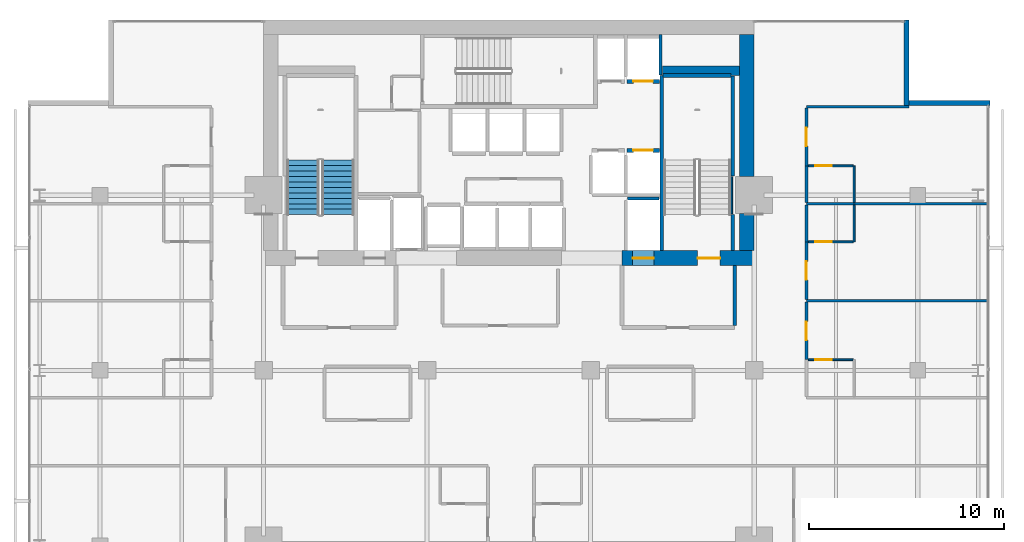
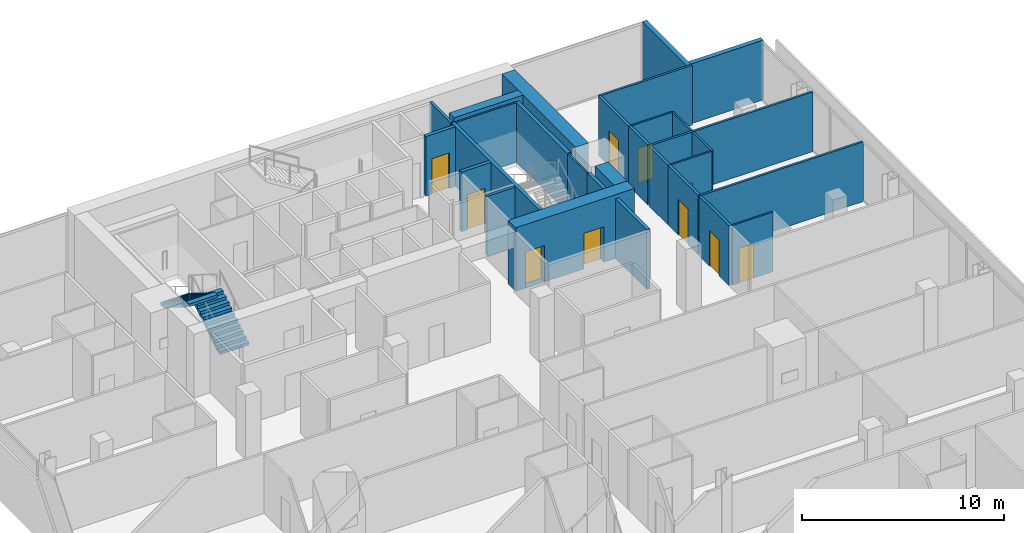
# One storey, part 31 of 34: 29 walls, 10 doors, 2 stair flights, 10 openings, 1 element without a shape of its own.
"""IFC4 building model written with IfcOpenShell, lengths in metres."""

from ifc_helpers import new_model, si_unit, direction, frame, frame_2d, origin, place, context, subcontext, project, spatial, polyline, rectangle, outline, extrude, material, layer, layer_set, type_object, element, fill, aggregate, save


model = new_model("IFC4")

# Units and contexts
model_context = context("Model", 3, precision=1e-05, world=origin(), true_north=direction((0.0, 1.0)))
body_context = subcontext(model_context, "Body", "Model", "MODEL_VIEW")
ifc_project = project(units=[si_unit("LENGTHUNIT", "METRE"), si_unit("AREAUNIT", "SQUARE_METRE"), si_unit("VOLUMEUNIT", "CUBIC_METRE"), si_unit("PLANEANGLEUNIT", "RADIAN"), si_unit("MASSUNIT", "GRAM", prefix="KILO")], contexts=[model_context])

# Site, building, storey
site_placement = place(None, origin())
site = spatial("IfcSite", under=ifc_project, at=site_placement, CompositionType="ELEMENT")
building_placement = place(site_placement, origin())
building = spatial("IfcBuilding", under=site, at=building_placement, Name="Maruvema Waterfront Hotel and Observation Tower", CompositionType="ELEMENT")
storey_placement = place(building_placement, frame((0.0, 0.0, 208.25)))
storey = spatial("IfcBuildingStorey", under=building, at=storey_placement, Name="L51", CompositionType="ELEMENT", Elevation=208.25)

# Wall, opening, door
ifc_material_1 = material(Name="Twin-stud acoustic gypsum drywall", Category="gypsum")
ifc_layer_1 = layer(ifc_material_1, 0.14990234375, Name="Acoustic Corridor and Suite Demising Wall 150 mm")
ifc_layer_set_1 = layer_set([ifc_layer_1], Name="Twin-stud acoustic gypsum drywall")
wall_type_1 = type_object("IfcWallType", Name="Acoustic Corridor and Suite Demising Wall 150 mm", PredefinedType="PARTITIONING", material=ifc_layer_set_1)
wall_1_placement = place(storey_placement, frame((53.080078125, 36.550048828125, 0.0), z_axis=(0.0, 0.0, 1.0), x_axis=(0.0, 1.0, 0.0)))
wall_1 = element("IfcWall", 1, at=wall_1_placement, inside=storey, type_object=wall_type_1, Name="L51 Room L51-NE1 Corridor Wall 105", PredefinedType="PARTITIONING", context=body_context, shape_type="SweptSolid", body=[
    extrude(rectangle(XDim=2.96923828125, YDim=0.14990234375, at=frame_2d((1.484619140625, 0.0))), origin(), (0.0, 0.0, 1.0), 3.610107421875),
])
opening_1_placement = place(wall_1_placement, frame((1.009521484375, 0.0, 0.0)))
opening_1 = element("IfcOpeningElement", 2, at=opening_1_placement, cuts=wall_1, Name="Opening DR-095", PredefinedType="OPENING", context=body_context, shape_type="SweptSolid", body=[
    extrude(rectangle(XDim=0.949951171875, YDim=2.14990234375, at=frame_2d((0.47509765625, 1.074951171875))), frame((0.0, 0.0849609375, 0.0), z_axis=(0.0, -1.0, 0.0), x_axis=(1.0, 0.0, 0.0)), (0.0, 0.0, 1.0), 0.169921875),
])
ifc_material_2 = material(Name="Acoustic solid-core hardwood timber leaf", Category="wood")
door_type_1 = type_object("IfcDoorType", Name="Guestroom Entrance Fire Door 950x2150 mm", OperationType="NOTDEFINED", PredefinedType="DOOR", material=ifc_material_2)
door_1_placement = place(opening_1_placement, frame((0.949951171875, 0.0, 0.0), z_axis=(0.0, 0.0, 1.0), x_axis=(-1.0, 0.0, 0.0)))
door_1 = element("IfcDoor", 3, at=door_1_placement, inside=storey, type_object=door_type_1, Name="L51 Room L51-NE1 Entrance Door", OperationType="SINGLE_SWING_RIGHT", OverallHeight=2.14990234375, OverallWidth=0.949951171875, PredefinedType="DOOR", context=body_context, shape_type="SweptSolid", body=[
    extrude(rectangle(XDim=0.949951171875, YDim=2.14990234375, at=frame_2d((0.47509765625, 1.074951171875))), frame((0.0, 0.02490234375, 0.0), z_axis=(0.0, -1.0, 0.0), x_axis=(1.0, 0.0, 0.0)), (0.0, 0.0, 1.0), 0.050048828125),
])
fill(opening_1, door_1)

wall_2_placement = place(storey_placement, frame((53.080078125, 39.63916015625, 0.0), z_axis=(0.0, 0.0, 1.0), x_axis=(0.0, 1.0, 0.0)))
wall_2 = element("IfcWall", 4, at=wall_2_placement, inside=storey, type_object=wall_type_1, Name="L51 Room L51-NE2 Corridor Wall 114", PredefinedType="PARTITIONING", context=body_context, shape_type="SweptSolid", body=[
    extrude(rectangle(XDim=2.96923828125, YDim=0.14990234375, at=frame_2d((1.484619140625, 0.0))), origin(), (0.0, 0.0, 1.0), 3.610107421875),
])
opening_2_placement = place(wall_2_placement, frame((1.009521484375, 0.0, 0.0)))
opening_2 = element("IfcOpeningElement", 5, at=opening_2_placement, cuts=wall_2, Name="Opening DR-095", PredefinedType="OPENING", context=body_context, shape_type="SweptSolid", body=[
    extrude(rectangle(XDim=0.949951171875, YDim=2.14990234375, at=frame_2d((0.47509765625, 1.074951171875))), frame((0.0, 0.0849609375, 0.0), z_axis=(0.0, -1.0, 0.0), x_axis=(1.0, 0.0, 0.0)), (0.0, 0.0, 1.0), 0.169921875),
])
door_2_placement = place(opening_2_placement, frame((0.949951171875, 0.0, 0.0), z_axis=(0.0, 0.0, 1.0), x_axis=(-1.0, 0.0, 0.0)))
door_2 = element("IfcDoor", 6, at=door_2_placement, inside=storey, type_object=door_type_1, Name="L51 Room L51-NE2 Entrance Door", OperationType="SINGLE_SWING_RIGHT", OverallHeight=2.14990234375, OverallWidth=0.949951171875, PredefinedType="DOOR", context=body_context, shape_type="SweptSolid", body=[
    extrude(rectangle(XDim=0.949951171875, YDim=2.14990234375, at=frame_2d((0.47509765625, 1.074951171875))), frame((0.0, 0.02490234375, 0.0), z_axis=(0.0, -1.0, 0.0), x_axis=(1.0, 0.0, 0.0)), (0.0, 0.0, 1.0), 0.050048828125),
])
fill(opening_2, door_2)

# Walls
for number, where, z_axis, x_axis, name in (
    (7, (53.080078125, 42.6083984375, 0.0), (0.0, 0.0, 1.0), (0.0, 1.0, 0.0), "L51 Bath L51-NE2 Wall 115"),
    (8, (53.080078125, 44.618408203125, 0.0), (0.0, 0.0, 1.0), (0.0, 1.0, 0.0), "L51 Bath L51-NE3 Wall 124"),
):
    element("IfcWall", number, at=place(storey_placement, frame(where, z_axis=z_axis, x_axis=x_axis)), inside=storey, type_object=wall_type_1, Name=name, PredefinedType="PARTITIONING", context=body_context, shape_type="SweptSolid", body=[
        extrude(rectangle(XDim=1.889892578125, YDim=0.14990234375, at=frame_2d((0.94482421875, 0.0))), origin(), (0.0, 0.0, 1.0), 3.610107421875),
    ])

# Wall, opening, door
wall_3_placement = place(storey_placement, frame((53.080078125, 46.50830078125, 0.0), z_axis=(0.0, 0.0, 1.0), x_axis=(0.0, 1.0, 0.0)))
wall_3 = element("IfcWall", 9, at=wall_3_placement, inside=storey, type_object=wall_type_1, Name="L51 Room L51-NE3 Corridor Wall 125", PredefinedType="PARTITIONING", context=body_context, shape_type="SweptSolid", body=[
    extrude(rectangle(XDim=2.96923828125, YDim=0.14990234375, at=frame_2d((1.484619140625, 0.0))), origin(), (0.0, 0.0, 1.0), 3.610107421875),
])
opening_3_placement = place(wall_3_placement, frame((1.009521484375, 0.0, 0.0)))
opening_3 = element("IfcOpeningElement", 10, at=opening_3_placement, cuts=wall_3, Name="Opening DR-095", PredefinedType="OPENING", context=body_context, shape_type="SweptSolid", body=[
    extrude(rectangle(XDim=0.949951171875, YDim=2.14990234375, at=frame_2d((0.47509765625, 1.074951171875))), frame((0.0, 0.0849609375, 0.0), z_axis=(0.0, -1.0, 0.0), x_axis=(1.0, 0.0, 0.0)), (0.0, 0.0, 1.0), 0.169921875),
])
door_3_placement = place(opening_3_placement, frame((0.949951171875, 0.0, 0.0), z_axis=(0.0, 0.0, 1.0), x_axis=(-1.0, 0.0, 0.0)))
door_3 = element("IfcDoor", 11, at=door_3_placement, inside=storey, type_object=door_type_1, Name="L51 Room L51-NE3 Entrance Door", OperationType="SINGLE_SWING_RIGHT", OverallHeight=2.14990234375, OverallWidth=0.949951171875, PredefinedType="DOOR", context=body_context, shape_type="SweptSolid", body=[
    extrude(rectangle(XDim=0.949951171875, YDim=2.14990234375, at=frame_2d((0.47509765625, 1.074951171875))), frame((0.0, 0.02490234375, 0.0), z_axis=(0.0, -1.0, 0.0), x_axis=(1.0, 0.0, 0.0)), (0.0, 0.0, 1.0), 0.050048828125),
])
fill(opening_3, door_3)

# Walls
ifc_material_3 = material(Name="Precast concrete C45/55", Category="concrete")
ifc_layer_2 = layer(ifc_material_3, 0.199951171875, Name="Core Shaft and Stairwell Enclosure Wall 200 mm")
ifc_layer_set_2 = layer_set([ifc_layer_2], Name="Precast concrete C45/55")
wall_type_2 = type_object("IfcWallType", Name="Core Shaft and Stairwell Enclosure Wall 200 mm", PredefinedType="SOLIDWALL", material=ifc_layer_set_2)
wall_4_placement = place(storey_placement, frame((45.64990234375, 42.14990234375, 0.0), z_axis=(0.0, 0.0, 1.0), x_axis=(0.0, 1.0, 0.0)))
element("IfcWall", 12, at=wall_4_placement, inside=storey, type_object=wall_type_2, Name="L51 Stairwell ST-03 West Shaft Wall", PredefinedType="SOLIDWALL", context=body_context, shape_type="SweptSolid", body=[
    extrude(rectangle(XDim=9.0, YDim=0.199951171875, at=frame_2d((4.5, 0.0))), origin(), (0.0, 0.0, 1.0), 3.610107421875),
])
wall_5_placement = place(storey_placement, frame((49.300048828125, 42.14990234375, 0.0), z_axis=(0.0, 0.0, 1.0), x_axis=(0.0, 1.0, 0.0)))
element("IfcWall", 13, at=wall_5_placement, inside=storey, type_object=wall_type_2, Name="L51 Stairwell ST-03 Shaft Lining Wall", PredefinedType="SOLIDWALL", context=body_context, shape_type="SweptSolid", body=[
    extrude(rectangle(XDim=1.8701171875, YDim=0.199951171875, at=frame_2d((0.93505859375, 0.0))), origin(), (0.0, 0.0, 1.0), 3.610107421875),
])
wall_6_placement = place(storey_placement, frame((49.300048828125, 45.97998046875, 0.0), z_axis=(0.0, 0.0, 1.0), x_axis=(0.0, 1.0, 0.0)))
element("IfcWall", 14, at=wall_6_placement, inside=storey, type_object=wall_type_2, Name="L51 Stairwell ST-03 Shaft Lining Wall", PredefinedType="SOLIDWALL", context=body_context, shape_type="SweptSolid", body=[
    extrude(rectangle(XDim=5.14013671875, YDim=0.199951171875, at=frame_2d((2.570068359375, 0.0))), origin(), (0.0, 0.0, 1.0), 3.610107421875),
])
wall_7_placement = place(storey_placement, frame((45.719970703125, 51.14990234375, 0.0), z_axis=(0.0, 0.0, 1.0), x_axis=(1.0, 0.0, 0.0)))
element("IfcWall", 15, at=wall_7_placement, inside=storey, type_object=wall_type_2, Name="L51 Stairwell ST-03 Shaft Lining Wall", PredefinedType="SOLIDWALL", context=body_context, shape_type="SweptSolid", body=[
    extrude(rectangle(XDim=3.5, YDim=0.199951171875, at=frame_2d((1.75, 0.0))), origin(), (0.0, 0.0, 1.0), 3.610107421875),
])

# Wall, opening, door
wall_8_placement = place(storey_placement, frame((43.860107421875, 47.300048828125, 0.0), z_axis=(0.0, 0.0, 1.0), x_axis=(1.0, 0.0, 0.0)))
wall_8 = element("IfcWall", 16, at=wall_8_placement, inside=storey, type_object=wall_type_2, Name="L51 Lift LF-06 Hoistway Front Wall", PredefinedType="SOLIDWALL", context=body_context, shape_type="SweptSolid", body=[
    extrude(rectangle(XDim=1.679931640625, YDim=0.199951171875, at=frame_2d((0.83984375, 0.0))), origin(), (0.0, 0.0, 1.0), 3.610107421875),
])
opening_4_placement = place(wall_8_placement, frame((0.340087890625, 0.0, 0.0)))
opening_4 = element("IfcOpeningElement", 17, at=opening_4_placement, cuts=wall_8, Name="Opening LD-01", PredefinedType="OPENING", context=body_context, shape_type="SweptSolid", body=[
    extrude(rectangle(XDim=1.0, YDim=2.14990234375, at=frame_2d((0.5, 1.074951171875))), frame((0.0, 0.10986328125, 0.0), z_axis=(0.0, -1.0, 0.0), x_axis=(1.0, 0.0, 0.0)), (0.0, 0.0, 1.0), 0.219970703125),
])
ifc_material_4 = material(Name="Brushed stainless steel Grade 316", Category="steel")
door_type_2 = type_object("IfcDoorType", Name="Passenger Lift Sliding Landing Door 1000x2150 mm", OperationType="SLIDING_TO_LEFT", PredefinedType="DOOR", material=ifc_material_4)
door_4_placement = place(opening_4_placement, origin())
door_4 = element("IfcDoor", 18, at=door_4_placement, inside=storey, type_object=door_type_2, Name="L51 Lift LF-06 Sliding Landing Door", OperationType="SLIDING_TO_LEFT", OverallHeight=2.14990234375, OverallWidth=1.0, PredefinedType="DOOR", context=body_context, shape_type="SweptSolid", body=[
    extrude(rectangle(XDim=1.0, YDim=2.14990234375, at=frame_2d((0.5, 1.074951171875))), frame((0.0, 0.02490234375, 0.0), z_axis=(0.0, -1.0, 0.0), x_axis=(1.0, 0.0, 0.0)), (0.0, 0.0, 1.0), 0.050048828125),
])
fill(opening_4, door_4)

wall_9_placement = place(storey_placement, frame((43.860107421875, 50.85009765625, 0.0), z_axis=(0.0, 0.0, 1.0), x_axis=(1.0, 0.0, 0.0)))
wall_9 = element("IfcWall", 19, at=wall_9_placement, inside=storey, type_object=wall_type_2, Name="L51 Lift LF-08 Hoistway Front Wall", PredefinedType="SOLIDWALL", context=body_context, shape_type="SweptSolid", body=[
    extrude(rectangle(XDim=1.679931640625, YDim=0.199951171875, at=frame_2d((0.83984375, 0.0))), origin(), (0.0, 0.0, 1.0), 3.610107421875),
])
opening_5_placement = place(wall_9_placement, frame((0.340087890625, 0.0, 0.0)))
opening_5 = element("IfcOpeningElement", 20, at=opening_5_placement, cuts=wall_9, Name="Opening LD-01", PredefinedType="OPENING", context=body_context, shape_type="SweptSolid", body=[
    extrude(rectangle(XDim=1.0, YDim=2.14990234375, at=frame_2d((0.5, 1.074951171875))), frame((0.0, 0.10986328125, 0.0), z_axis=(0.0, -1.0, 0.0), x_axis=(1.0, 0.0, 0.0)), (0.0, 0.0, 1.0), 0.219970703125),
])
door_5_placement = place(opening_5_placement, frame((1.0, 0.0, 0.0), z_axis=(0.0, 0.0, 1.0), x_axis=(-1.0, 0.0, 0.0)))
door_5 = element("IfcDoor", 21, at=door_5_placement, inside=storey, type_object=door_type_2, Name="L51 Lift LF-08 Sliding Landing Door", OperationType="SLIDING_TO_LEFT", OverallHeight=2.14990234375, OverallWidth=1.0, PredefinedType="DOOR", context=body_context, shape_type="SweptSolid", body=[
    extrude(rectangle(XDim=1.0, YDim=2.14990234375, at=frame_2d((0.5, 1.074951171875))), frame((0.0, 0.02490234375, 0.0), z_axis=(0.0, -1.0, 0.0), x_axis=(1.0, 0.0, 0.0)), (0.0, 0.0, 1.0), 0.050048828125),
])
fill(opening_5, door_5)

# Wall
ifc_material_5 = material(Name="Concrete C70/85", Category="concrete")
ifc_layer_3 = layer(ifc_material_5, 0.5, Name="Core Shear Wall 500 mm")
ifc_layer_set_3 = layer_set([ifc_layer_3], Name="Concrete C70/85")
wall_type_3 = type_object("IfcWallType", Name="Core Shear Wall 500 mm", PredefinedType="SHEAR", material=ifc_layer_set_3)
wall_10_placement = place(storey_placement, frame((45.699951171875, 51.39990234375, 0.0), z_axis=(0.0, 0.0, 1.0), x_axis=(1.0, 0.0, 0.0)))
element("IfcWall", 22, at=wall_10_placement, inside=storey, type_object=wall_type_3, Name="L51 Internal Core Shear Wall NE 500 mm", PredefinedType="SHEAR", context=body_context, shape_type="SweptSolid", body=[
    extrude(rectangle(XDim=3.949951171875, YDim=0.5, at=frame_2d((1.97509765625, 0.0))), origin(), (0.0, 0.0, 1.0), 3.85009765625),
])

# Wall, openings, doors
ifc_material_6 = material(Name="Concrete C70/85", Category="concrete")
ifc_layer_4 = layer(ifc_material_6, 0.75, Name="Core Shear Wall 750 mm")
ifc_layer_set_4 = layer_set([ifc_layer_4], Name="Concrete C70/85")
wall_type_4 = type_object("IfcWallType", Name="Core Shear Wall 750 mm", PredefinedType="SHEAR", material=ifc_layer_set_4)
wall_11_placement = place(storey_placement, frame((43.60009765625, 41.77490234375, 0.0), z_axis=(0.0, 0.0, 1.0), x_axis=(1.0, 0.0, 0.0)))
wall_11 = element("IfcWall", 23, at=wall_11_placement, inside=storey, type_object=wall_type_4, Name="L51 South-East Core Shear Wall", PredefinedType="SHEAR", context=body_context, shape_type="SweptSolid", body=[
    extrude(rectangle(XDim=6.7998046875, YDim=0.75, at=frame_2d((3.39990234375, 0.0))), origin(), (0.0, 0.0, 1.0), 3.85009765625),
])
opening_6_placement = place(wall_11_placement, frame((3.89990234375, 0.0, 0.0)))
opening_6 = element("IfcOpeningElement", 24, at=opening_6_placement, cuts=wall_11, Name="Opening SD-01", PredefinedType="OPENING", context=body_context, shape_type="SweptSolid", body=[
    extrude(rectangle(XDim=1.14990234375, YDim=2.14990234375, at=frame_2d((0.574951171875, 1.074951171875))), frame((0.0, 0.385009765625, 0.0), z_axis=(0.0, -1.0, 0.0), x_axis=(1.0, 0.0, 0.0)), (0.0, 0.0, 1.0), 0.77001953125),
])
opening_7_placement = place(wall_11_placement, frame((0.550048828125, 0.0, 0.0)))
opening_7 = element("IfcOpeningElement", 25, at=opening_7_placement, cuts=wall_11, Name="Opening LD-03", PredefinedType="OPENING", context=body_context, shape_type="SweptSolid", body=[
    extrude(rectangle(XDim=1.10009765625, YDim=2.199951171875, at=frame_2d((0.550048828125, 1.10009765625))), frame((0.0, 0.385009765625, 0.0), z_axis=(0.0, -1.0, 0.0), x_axis=(1.0, 0.0, 0.0)), (0.0, 0.0, 1.0), 0.77001953125),
])
ifc_material_7 = material(Name="Fire-rated galvanised steel leaf", Category="steel")
door_type_3 = type_object("IfcDoorType", Name="Exit Stair Fire Door 1150x2150 mm", OperationType="NOTDEFINED", PredefinedType="DOOR", material=ifc_material_7)
door_6_placement = place(opening_6_placement, origin())
door_6 = element("IfcDoor", 26, at=door_6_placement, inside=storey, type_object=door_type_3, Name="L51 Exit Stair ST-03 Fire Door", OperationType="SINGLE_SWING_RIGHT", OverallHeight=2.14990234375, OverallWidth=1.14990234375, PredefinedType="DOOR", context=body_context, shape_type="SweptSolid", body=[
    extrude(rectangle(XDim=1.14990234375, YDim=2.14990234375, at=frame_2d((0.574951171875, 1.074951171875))), frame((0.0, 0.02490234375, 0.0), z_axis=(0.0, -1.0, 0.0), x_axis=(1.0, 0.0, 0.0)), (0.0, 0.0, 1.0), 0.050048828125),
])
fill(opening_6, door_6)
ifc_material_8 = material(Name="Brushed stainless steel Grade 316", Category="steel")
door_type_4 = type_object("IfcDoorType", Name="Firefighting Lift Sliding Landing Door 1100x2200 mm", OperationType="SLIDING_TO_LEFT", PredefinedType="DOOR", material=ifc_material_8)
door_7_placement = place(opening_7_placement, frame((1.10009765625, 0.0, 0.0), z_axis=(0.0, 0.0, 1.0), x_axis=(-1.0, 0.0, 0.0)))
door_7 = element("IfcDoor", 27, at=door_7_placement, inside=storey, type_object=door_type_4, Name="L51 Firefighting Lift FL-02 Landing Door", OperationType="SLIDING_TO_LEFT", OverallHeight=2.199951171875, OverallWidth=1.10009765625, PredefinedType="DOOR", context=body_context, shape_type="SweptSolid", body=[
    extrude(rectangle(XDim=1.10009765625, YDim=2.199951171875, at=frame_2d((0.550048828125, 1.10009765625))), frame((0.0, 0.02490234375, 0.0), z_axis=(0.0, -1.0, 0.0), x_axis=(1.0, 0.0, 0.0)), (0.0, 0.0, 1.0), 0.050048828125),
])
fill(opening_7, door_7)

# Walls
wall_12_placement = place(storey_placement, frame((50.02490234375, 42.14990234375, 0.0), z_axis=(0.0, 0.0, 1.0), x_axis=(0.0, 1.0, 0.0)))
element("IfcWall", 28, at=wall_12_placement, inside=storey, type_object=wall_type_4, Name="L51 East-South Core Shear Wall", PredefinedType="SHEAR", context=body_context, shape_type="SweptSolid", body=[
    extrude(rectangle(XDim=1.900146484375, YDim=0.75, at=frame_2d((0.9501953125, 0.0))), origin(), (0.0, 0.0, 1.0), 3.85009765625),
])
wall_13_placement = place(storey_placement, frame((50.02490234375, 45.949951171875, 0.0), z_axis=(0.0, 0.0, 1.0), x_axis=(0.0, 1.0, 0.0)))
element("IfcWall", 29, at=wall_13_placement, inside=storey, type_object=wall_type_4, Name="L51 East-North Core Shear Wall", PredefinedType="SHEAR", context=body_context, shape_type="SweptSolid", body=[
    extrude(rectangle(XDim=7.300048828125, YDim=0.75, at=frame_2d((3.64990234375, 0.0))), origin(), (0.0, 0.0, 1.0), 3.85009765625),
])

# Wall, opening, door
ifc_material_9 = material(Name="Moisture-resistant cement-board drywall", Category="gypsum")
ifc_layer_5 = layer(ifc_material_9, 0.10009765625, Name="En-Suite Moisture-Resistant Partition 100 mm")
ifc_layer_set_5 = layer_set([ifc_layer_5], Name="Moisture-resistant cement-board drywall")
wall_type_5 = type_object("IfcWallType", Name="En-Suite Moisture-Resistant Partition 100 mm", PredefinedType="PARTITIONING", material=ifc_layer_set_5)
wall_14_placement = place(storey_placement, frame((53.179931640625, 36.550048828125, 0.0), z_axis=(0.0, 0.0, 1.0), x_axis=(1.0, 0.0, 0.0)))
wall_14 = element("IfcWall", 30, at=wall_14_placement, inside=storey, type_object=wall_type_5, Name="L51 En-Suite L51-NE1 N 107", PredefinedType="PARTITIONING", context=body_context, shape_type="SweptSolid", body=[
    extrude(rectangle(XDim=2.300048828125, YDim=0.10009765625, at=frame_2d((1.14990234375, 0.0))), origin(), (0.0, 0.0, 1.0), 3.610107421875),
])
opening_8_placement = place(wall_14_placement, frame((0.35009765625, 0.0, 0.0)))
opening_8 = element("IfcOpeningElement", 31, at=opening_8_placement, cuts=wall_14, Name="Opening DR-085", PredefinedType="OPENING", context=body_context, shape_type="SweptSolid", body=[
    extrude(rectangle(XDim=0.85009765625, YDim=2.10009765625, at=frame_2d((0.425048828125, 1.050048828125))), frame((0.0, 0.06005859375, 0.0), z_axis=(0.0, -1.0, 0.0), x_axis=(1.0, 0.0, 0.0)), (0.0, 0.0, 1.0), 0.1201171875),
])
ifc_material_10 = material(Name="Moisture-resistant solid timber leaf", Category="wood")
door_type_5 = type_object("IfcDoorType", Name="En-Suite Bathroom Door 850x2100 mm", OperationType="NOTDEFINED", PredefinedType="DOOR", material=ifc_material_10)
door_8_placement = place(opening_8_placement, origin())
door_8 = element("IfcDoor", 32, at=door_8_placement, inside=storey, type_object=door_type_5, Name="L51 En-Suite L51-NE1 Door", OperationType="SINGLE_SWING_LEFT", OverallHeight=2.10009765625, OverallWidth=0.85009765625, PredefinedType="DOOR", context=body_context, shape_type="SweptSolid", body=[
    extrude(rectangle(XDim=0.85009765625, YDim=2.10009765625, at=frame_2d((0.425048828125, 1.050048828125))), frame((0.0, 0.02490234375, 0.0), z_axis=(0.0, -1.0, 0.0), x_axis=(1.0, 0.0, 0.0)), (0.0, 0.0, 1.0), 0.050048828125),
])
fill(opening_8, door_8)

# Wall
wall_15_placement = place(storey_placement, frame((55.530029296875, 42.6083984375, 0.0), z_axis=(0.0, 0.0, 1.0), x_axis=(0.0, 1.0, 0.0)))
element("IfcWall", 33, at=wall_15_placement, inside=storey, type_object=wall_type_5, Name="L51 En-Suite L51-NE2 E 116", PredefinedType="PARTITIONING", context=body_context, shape_type="SweptSolid", body=[
    extrude(rectangle(XDim=1.889892578125, YDim=0.10009765625, at=frame_2d((0.94482421875, 0.0))), origin(), (0.0, 0.0, 1.0), 3.610107421875),
])

# Wall, opening, door
wall_16_placement = place(storey_placement, frame((53.179931640625, 42.6083984375, 0.0), z_axis=(0.0, 0.0, 1.0), x_axis=(1.0, 0.0, 0.0)))
wall_16 = element("IfcWall", 34, at=wall_16_placement, inside=storey, type_object=wall_type_5, Name="L51 En-Suite L51-NE2 S 117", PredefinedType="PARTITIONING", context=body_context, shape_type="SweptSolid", body=[
    extrude(rectangle(XDim=2.300048828125, YDim=0.10009765625, at=frame_2d((1.14990234375, 0.0))), origin(), (0.0, 0.0, 1.0), 3.610107421875),
])
opening_9_placement = place(wall_16_placement, frame((0.35009765625, 0.0, 0.0)))
opening_9 = element("IfcOpeningElement", 35, at=opening_9_placement, cuts=wall_16, Name="Opening DR-085", PredefinedType="OPENING", context=body_context, shape_type="SweptSolid", body=[
    extrude(rectangle(XDim=0.85009765625, YDim=2.10009765625, at=frame_2d((0.425048828125, 1.050048828125))), frame((0.0, 0.06005859375, 0.0), z_axis=(0.0, -1.0, 0.0), x_axis=(1.0, 0.0, 0.0)), (0.0, 0.0, 1.0), 0.1201171875),
])
door_9_placement = place(opening_9_placement, frame((0.85009765625, 0.0, 0.0), z_axis=(0.0, 0.0, 1.0), x_axis=(-1.0, 0.0, 0.0)))
door_9 = element("IfcDoor", 36, at=door_9_placement, inside=storey, type_object=door_type_5, Name="L51 En-Suite L51-NE2 Door", OperationType="SINGLE_SWING_LEFT", OverallHeight=2.10009765625, OverallWidth=0.85009765625, PredefinedType="DOOR", context=body_context, shape_type="SweptSolid", body=[
    extrude(rectangle(XDim=0.85009765625, YDim=2.10009765625, at=frame_2d((0.425048828125, 1.050048828125))), frame((0.0, 0.02490234375, 0.0), z_axis=(0.0, -1.0, 0.0), x_axis=(1.0, 0.0, 0.0)), (0.0, 0.0, 1.0), 0.050048828125),
])
fill(opening_9, door_9)

# Wall
wall_17_placement = place(storey_placement, frame((55.530029296875, 44.618408203125, 0.0), z_axis=(0.0, 0.0, 1.0), x_axis=(0.0, 1.0, 0.0)))
element("IfcWall", 37, at=wall_17_placement, inside=storey, type_object=wall_type_5, Name="L51 En-Suite L51-NE3 E 126", PredefinedType="PARTITIONING", context=body_context, shape_type="SweptSolid", body=[
    extrude(rectangle(XDim=1.889892578125, YDim=0.10009765625, at=frame_2d((0.94482421875, 0.0))), origin(), (0.0, 0.0, 1.0), 3.610107421875),
])

# Wall, opening, door
wall_18_placement = place(storey_placement, frame((53.179931640625, 46.50830078125, 0.0), z_axis=(0.0, 0.0, 1.0), x_axis=(1.0, 0.0, 0.0)))
wall_18 = element("IfcWall", 38, at=wall_18_placement, inside=storey, type_object=wall_type_5, Name="L51 En-Suite L51-NE3 N 127", PredefinedType="PARTITIONING", context=body_context, shape_type="SweptSolid", body=[
    extrude(rectangle(XDim=2.300048828125, YDim=0.10009765625, at=frame_2d((1.14990234375, 0.0))), origin(), (0.0, 0.0, 1.0), 3.610107421875),
])
opening_10_placement = place(wall_18_placement, frame((0.35009765625, 0.0, 0.0)))
opening_10 = element("IfcOpeningElement", 39, at=opening_10_placement, cuts=wall_18, Name="Opening DR-085", PredefinedType="OPENING", context=body_context, shape_type="SweptSolid", body=[
    extrude(rectangle(XDim=0.85009765625, YDim=2.10009765625, at=frame_2d((0.425048828125, 1.050048828125))), frame((0.0, 0.06005859375, 0.0), z_axis=(0.0, -1.0, 0.0), x_axis=(1.0, 0.0, 0.0)), (0.0, 0.0, 1.0), 0.1201171875),
])
door_10_placement = place(opening_10_placement, origin())
door_10 = element("IfcDoor", 40, at=door_10_placement, inside=storey, type_object=door_type_5, Name="L51 En-Suite L51-NE3 Door", OperationType="SINGLE_SWING_LEFT", OverallHeight=2.10009765625, OverallWidth=0.85009765625, PredefinedType="DOOR", context=body_context, shape_type="SweptSolid", body=[
    extrude(rectangle(XDim=0.85009765625, YDim=2.10009765625, at=frame_2d((0.425048828125, 1.050048828125))), frame((0.0, 0.02490234375, 0.0), z_axis=(0.0, -1.0, 0.0), x_axis=(1.0, 0.0, 0.0)), (0.0, 0.0, 1.0), 0.050048828125),
])
fill(opening_10, door_10)

# Walls
ifc_material_11 = material(Name="Precast concrete C45/55 with honed Pernambuco granite facing", Category="masonry")
ifc_layer_6 = layer(ifc_material_11, 0.260009765625, Name="Exterior Granite Clad Spandrel and Pier Wall 260 mm")
ifc_layer_set_6 = layer_set([ifc_layer_6], Name="Precast concrete C45/55 with honed Pernambuco granite facing")
wall_type_6 = type_object("IfcWallType", Name="Exterior Granite Clad Spandrel and Pier Wall 260 mm", PredefinedType="SOLIDWALL", material=ifc_layer_set_6)
for number, where, z_axis, x_axis, name in (
    (41, (58.22998046875, 54.0, 0.0), (0.0, 0.0, 1.0), (0.0, -1.0, 0.0), "L51 Corner Notch Granite Pier Wall NE1"),
    (42, (58.10009765625, 49.72998046875, 0.0), (0.0, 0.0, 1.0), (1.0, 0.0, 0.0), "L51 Corner Notch Granite Pier Wall NE2"),
):
    element("IfcWall", number, at=place(storey_placement, frame(where, z_axis=z_axis, x_axis=x_axis)), inside=storey, type_object=wall_type_6, Name=name, PredefinedType="SOLIDWALL", context=body_context, shape_type="SweptSolid", body=[
        extrude(rectangle(XDim=4.39990234375, YDim=0.260009765625, at=frame_2d((2.199951171875, 0.0))), origin(), (0.0, 0.0, 1.0), 3.610107421875),
    ])
ifc_material_12 = material(Name="Autoclaved cellular concrete blockwork", Category="masonry")
ifc_layer_7 = layer(ifc_material_12, 0.199951171875, Name="Fire Compartment Masonry Wall 200 mm")
ifc_layer_set_7 = layer_set([ifc_layer_7], Name="Autoclaved cellular concrete blockwork")
wall_type_7 = type_object("IfcWallType", Name="Fire Compartment Masonry Wall 200 mm", PredefinedType="PARTITIONING", material=ifc_layer_set_7)
wall_19_placement = place(storey_placement, frame((49.39990234375, 38.31005859375, 0.0), z_axis=(0.0, 0.0, 1.0), x_axis=(0.0, 1.0, 0.0)))
element("IfcWall", 43, at=wall_19_placement, inside=storey, type_object=wall_type_7, Name="L51 FFL East East Wall 006", PredefinedType="PARTITIONING", context=body_context, shape_type="SweptSolid", body=[
    extrude(rectangle(XDim=3.06982421875, YDim=0.199951171875, at=frame_2d((1.534912109375, 0.0))), origin(), (0.0, 0.0, 1.0), 3.610107421875),
])
ifc_material_13 = material(Name="Acoustic gypsum plasterboard drywall", Category="gypsum")
ifc_layer_8 = layer(ifc_material_13, 0.125, Name="Guestroom Acoustic Demising Wall 125 mm")
ifc_layer_set_8 = layer_set([ifc_layer_8], Name="Acoustic gypsum plasterboard drywall")
wall_type_8 = type_object("IfcWallType", Name="Guestroom Acoustic Demising Wall 125 mm", PredefinedType="PARTITIONING", material=ifc_layer_set_8)
wall_20_placement = place(storey_placement, frame((53.080078125, 49.53759765625, 0.0), z_axis=(0.0, 0.0, 1.0), x_axis=(1.0, 0.0, 0.0)))
element("IfcWall", 44, at=wall_20_placement, inside=storey, type_object=wall_type_8, Name="L51 Z2 NE Top End 099", PredefinedType="PARTITIONING", context=body_context, shape_type="SweptSolid", body=[
    extrude(rectangle(XDim=5.280029296875, YDim=0.125, at=frame_2d((2.64013671875, 0.0))), origin(), (0.0, 0.0, 1.0), 3.610107421875),
])
for number, where, z_axis, x_axis, name in (
    (45, (53.080078125, 39.5791015625, 0.0), (0.0, 0.0, 1.0), (1.0, 0.0, 0.0), "L51 Z2 NE Demising 2 109"),
    (46, (53.080078125, 44.558349609375, 0.0), (0.0, 0.0, 1.0), (1.0, 0.0, 0.0), "L51 Z2 NE Demising 3 119"),
):
    element("IfcWall", number, at=place(storey_placement, frame(where, z_axis=z_axis, x_axis=x_axis)), inside=storey, type_object=wall_type_8, Name=name, PredefinedType="PARTITIONING", context=body_context, shape_type="SweptSolid", body=[
        extrude(rectangle(XDim=9.31982421875, YDim=0.125, at=frame_2d((4.659912109375, 0.0))), origin(), (0.0, 0.0, 1.0), 3.610107421875),
    ])
ifc_material_14 = material(Name="Precast concrete C45/55", Category="concrete")
ifc_layer_9 = layer(ifc_material_14, 0.159912109375, Name="Lift Hoistway Divider Wall 160 mm")
ifc_layer_set_9 = layer_set([ifc_layer_9], Name="Precast concrete C45/55")
wall_type_9 = type_object("IfcWallType", Name="Lift Hoistway Divider Wall 160 mm", PredefinedType="SOLIDWALL", material=ifc_layer_set_9)
wall_21_placement = place(storey_placement, frame((43.89990234375, 44.830078125, 0.0), z_axis=(0.0, 0.0, 1.0), x_axis=(1.0, 0.0, 0.0)))
element("IfcWall", 47, at=wall_21_placement, inside=storey, type_object=wall_type_9, Name="L51 Lift FL-02 Rear Hoistway Wall", PredefinedType="SOLIDWALL", context=body_context, shape_type="SweptSolid", body=[
    extrude(rectangle(XDim=1.60009765625, YDim=0.159912109375, at=frame_2d((0.800048828125, 0.0))), origin(), (0.0, 0.0, 1.0), 3.610107421875),
])
wall_22_placement = place(storey_placement, frame((45.590087890625, 51.179931640625, 0.0), z_axis=(0.0, 0.0, 1.0), x_axis=(0.0, 1.0, 0.0)))
element("IfcWall", 48, at=wall_22_placement, inside=storey, type_object=wall_type_9, Name="L51 Hoistway Divider Wall", PredefinedType="SOLIDWALL", context=body_context, shape_type="SweptSolid", body=[
    extrude(rectangle(XDim=2.070068359375, YDim=0.159912109375, at=frame_2d((1.03515625, 0.0))), origin(), (0.0, 0.0, 1.0), 3.610107421875),
])
ifc_material_15 = material(Name="Precast concrete C45/55", Category="concrete")
ifc_layer_10 = layer(ifc_material_15, 0.10009765625, Name="Stairwell Stringer Cheek Wall 100 mm")
ifc_layer_set_10 = layer_set([ifc_layer_10], Name="Precast concrete C45/55")
wall_type_10 = type_object("IfcWallType", Name="Stairwell Stringer Cheek Wall 100 mm", PredefinedType="SOLIDWALL", material=ifc_layer_set_10)
wall_23_placement = place(storey_placement, frame((49.248046875, 44.0400390625, 0.0), z_axis=(0.0, 0.0, 1.0), x_axis=(0.0, 1.0, 0.0)))
element("IfcWall", 49, at=wall_23_placement, inside=storey, type_object=wall_type_10, Name="L51 Stairwell ST-03 Mega-Column Cheek Wall", PredefinedType="SOLIDWALL", context=body_context, shape_type="SweptSolid", body=[
    extrude(rectangle(XDim=1.919921875, YDim=0.10009765625, at=frame_2d((0.9599609375, 0.0))), origin(), (0.0, 0.0, 1.0), 3.610107421875),
])

# Stair, stair flights
ifc_material_16 = material(Name="Concrete C50/60", Category="concrete")
stair_type = type_object("IfcStairType", Name="Dogleg Exit Stair 1650 mm (22R x 175.0 mm)", PredefinedType="HALF_TURN_STAIR", material=ifc_material_16)
stair_placement = place(storey_placement, origin())
stair = element("IfcStair", 50, at=stair_placement, inside=storey, type_object=stair_type, Name="L51 ST-01", PredefinedType="HALF_TURN_STAIR")
ifc_material_17 = material(Name="Concrete C50/60", Category="concrete")
stair_flight_type = type_object("IfcStairFlightType", Name="Reinforced Concrete Stair Flight 1650 mm (11R x 175.0 mm)", PredefinedType="STRAIGHT", material=ifc_material_17)
stair_flight_1_placement = place(storey_placement, frame((29.02490234375, 44.0, 0.0), z_axis=(0.0, 0.0, 1.0), x_axis=(0.0, 1.0, 0.0)))
stair_flight_1 = element("IfcStairFlight", 51, at=stair_flight_1_placement, type_object=stair_flight_type, Name="ST-01 flight 1", NumberOfRisers=11, NumberOfTreads=10, PredefinedType="STRAIGHT", RiserHeight=0.175, TreadLength=0.28, context=body_context, shape_type="SweptSolid", body=[
    extrude(outline(polyline([(0.0, 0.0), (0.0, 0.175048828125), (0.280029296875, 0.175048828125), (0.280029296875, 0.35009765625), (0.56005859375, 0.35009765625), (0.56005859375, 0.52490234375), (0.840087890625, 0.52490234375), (0.840087890625, 0.699951171875), (1.1201171875, 0.699951171875), (1.1201171875, 0.875), (1.39990234375, 0.875), (1.39990234375, 1.050048828125), (1.679931640625, 1.050048828125), (1.679931640625, 1.22509765625), (1.9599609375, 1.22509765625), (1.9599609375, 1.39990234375), (2.239990234375, 1.39990234375), (2.239990234375, 1.574951171875), (2.52001953125, 1.574951171875), (2.52001953125, 1.75), (2.800048828125, 1.75), (2.800048828125, 1.925048828125), (2.800048828125, 1.5732421875), (0.28271484375, 0.0), (0.0, 0.0)])), frame((0.0, 0.824951171875, 0.0), z_axis=(0.0, -1.0, 0.0), x_axis=(1.0, 0.0, 0.0)), (0.0, 0.0, 1.0), 1.64990234375),
])
stair_flight_2_placement = place(storey_placement, frame((27.22509765625, 46.800048828125, 1.925048828125), z_axis=(0.0, 0.0, 1.0), x_axis=(0.0, -1.0, 0.0)))
stair_flight_2 = element("IfcStairFlight", 52, at=stair_flight_2_placement, type_object=stair_flight_type, Name="ST-01 flight 2", NumberOfRisers=11, NumberOfTreads=10, PredefinedType="STRAIGHT", RiserHeight=0.175, TreadLength=0.28, context=body_context, shape_type="SweptSolid", body=[
    extrude(outline(polyline([(0.0, 0.0), (0.0, 0.175048828125), (0.280029296875, 0.175048828125), (0.280029296875, 0.35009765625), (0.56005859375, 0.35009765625), (0.56005859375, 0.52490234375), (0.840087890625, 0.52490234375), (0.840087890625, 0.699951171875), (1.1201171875, 0.699951171875), (1.1201171875, 0.875), (1.39990234375, 0.875), (1.39990234375, 1.050048828125), (1.679931640625, 1.050048828125), (1.679931640625, 1.22509765625), (1.9599609375, 1.22509765625), (1.9599609375, 1.39990234375), (2.239990234375, 1.39990234375), (2.239990234375, 1.574951171875), (2.52001953125, 1.574951171875), (2.52001953125, 1.75), (2.800048828125, 1.75), (2.800048828125, 1.925048828125), (2.800048828125, 1.5732421875), (0.28271484375, 0.0), (0.0, 0.0)])), frame((0.0, 0.824951171875, 0.0), z_axis=(0.0, -1.0, 0.0), x_axis=(1.0, 0.0, 0.0)), (0.0, 0.0, 1.0), 1.64990234375),
])
aggregate(stair, [stair_flight_1, stair_flight_2])

save(model, "model.ifc")
